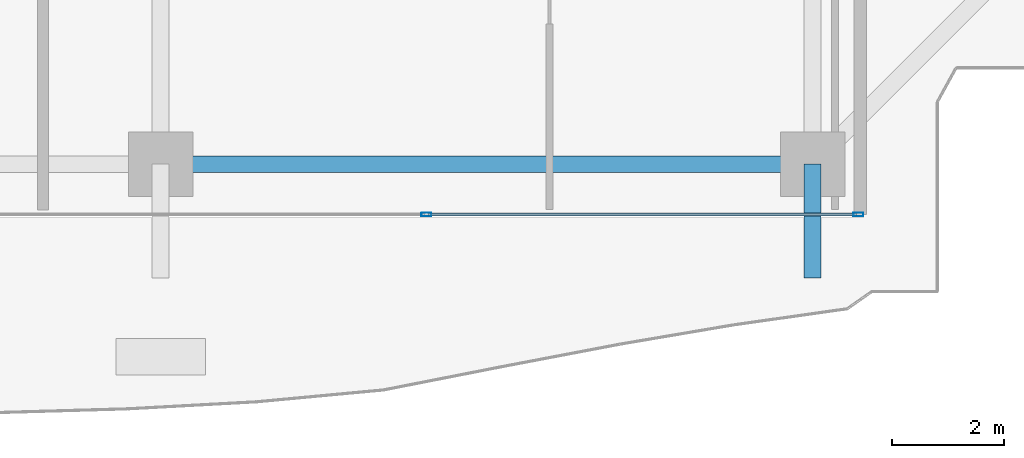
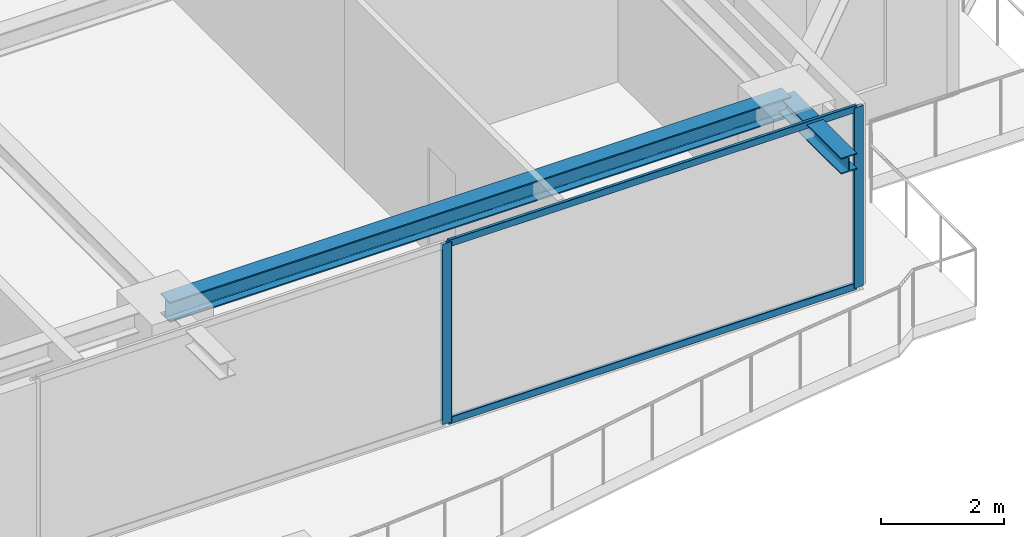
# One storey, part 11 of 37: 4 members, 2 beams, 1 element without a shape of its own.
"""IFC4 building model written with IfcOpenShell, lengths in metres."""

from ifc_helpers import new_model, si_unit, direction, frame, origin, origin_2d, place, context, subcontext, project, spatial, hollow_rectangle, i_section, extrude, source, transform, mapped, material, layer, layer_set, material_profile, profile_set, type_object, element, aggregate, save


model = new_model("IFC4")

# Units and contexts
model_context = context("Model", 3, precision=1e-05, world=origin(), true_north=direction((0.0, 1.0)))
body_context = subcontext(model_context, "Body", "Model", "MODEL_VIEW")
ifc_project = project(units=[si_unit("LENGTHUNIT", "METRE"), si_unit("AREAUNIT", "SQUARE_METRE"), si_unit("VOLUMEUNIT", "CUBIC_METRE"), si_unit("PLANEANGLEUNIT", "RADIAN"), si_unit("MASSUNIT", "GRAM", prefix="KILO")], contexts=[model_context])

# Site, building, storey
site_placement = place(None, origin())
site = spatial("IfcSite", under=ifc_project, at=site_placement, CompositionType="ELEMENT")
building_placement = place(site_placement, origin())
building = spatial("IfcBuilding", under=site, at=building_placement, Name="Serunith Strait Residences", CompositionType="ELEMENT")
storey_placement = place(building_placement, frame((0.0, 0.0, 260.5)))
storey = spatial("IfcBuildingStorey", under=building, at=storey_placement, Name="L65", CompositionType="ELEMENT", Elevation=260.5)

# Beams
ifc_material_1 = material(Name="Steel S355J2", Category="steel")
ifc_material_profile_1 = material_profile(ifc_material_1, i_section(OverallWidth=0.300048828125, OverallDepth=0.39990234375, WebThickness=0.013427734375, FlangeThickness=0.02392578125, FilletRadius=0.027099609375, at=origin_2d()), Name="HEB 400")
ifc_profile_set_1 = profile_set([ifc_material_profile_1], Name="Steel S355J2")
beam_type_1 = type_object("IfcBeamType", Name="BM-HEB400", PredefinedType="BEAM", material=ifc_profile_set_1)
shared_shape_1 = source(origin(), body_context, "Body", "SweptSolid", [
    extrude(i_section(OverallWidth=0.300048828125, OverallDepth=0.39990234375, WebThickness=0.013427734375, FlangeThickness=0.02392578125, FilletRadius=0.027099609375, at=origin_2d()), origin(), (0.0, 0.0, 1.0), 11.650146484375),
])
beam_1_placement = place(storey_placement, frame((36.89990234375, 2.10009765625, 3.386962890625), z_axis=(1.0, 0.0, 0.0), x_axis=(0.0, 1.0, 0.0)))
element("IfcBeam", 1, at=beam_1_placement, inside=storey, type_object=beam_type_1, Name="L65 Perimeter Ring Beam 03", PredefinedType="BEAM", context=body_context, shape_type="MappedRepresentation", body=[
    mapped(shared_shape_1, transform((0.0, 0.0, 0.0), scale=1.0)),
])
ifc_material_profile_2 = material_profile(ifc_material_1, i_section(OverallWidth=0.300048828125, OverallDepth=0.320068359375, WebThickness=0.011474609375, FlangeThickness=0.0205078125, FilletRadius=0.027099609375, at=origin_2d()), Name="HEB 320")
ifc_profile_set_2 = profile_set([ifc_material_profile_2], Name="Steel S355J2")
beam_type_2 = type_object("IfcBeamType", Name="BM-HEB320", PredefinedType="BEAM", material=ifc_profile_set_2)
shared_shape_2 = source(origin(), body_context, "Body", "SweptSolid", [
    extrude(i_section(OverallWidth=0.300048828125, OverallDepth=0.320068359375, WebThickness=0.011474609375, FlangeThickness=0.0205078125, FilletRadius=0.027099609375, at=origin_2d()), origin(), (0.0, 0.0, 1.0), 2.030029296875),
])
beam_2_placement = place(storey_placement, frame((48.550048828125, 2.10009765625, 3.39697265625), z_axis=(0.0, -1.0, 0.0), x_axis=(1.0, 0.0, 0.0)))
element("IfcBeam", 2, at=beam_2_placement, inside=storey, type_object=beam_type_2, Name="L66 Cantilevered Balcony Rib TC-S4", PredefinedType="BEAM", context=body_context, shape_type="MappedRepresentation", body=[
    mapped(shared_shape_2, transform((0.0, 0.0, 0.0), scale=1.0)),
])

# Curtain wall, members
ifc_material_2 = material(Name="Pale-Champagne Anodised Aluminium", Category="aluminium")
ifc_layer = layer(ifc_material_2, 0.199951171875, Name="Pale-Champagne Anodised Aluminium")
ifc_layer_set = layer_set([ifc_layer], Name="Pale-Champagne Anodised Aluminium")
curtain_wall_type = type_object("IfcCurtainWallType", Name="CW-SYS4", PredefinedType="NOTDEFINED", material=ifc_layer_set)
curtain_wall_placement = place(storey_placement, origin())
curtain_wall = element("IfcCurtainWall", 3, at=curtain_wall_placement, inside=storey, type_object=curtain_wall_type, Name="L65 S Unitised Fritted Curtain Wall", PredefinedType="NOTDEFINED")
ifc_material_profile_3 = material_profile(ifc_material_2, hollow_rectangle(XDim=0.06494140625, YDim=0.179931640625, WallThickness=0.00341796875, InnerFilletRadius=0.00537109375, OuterFilletRadius=0.0087890625, at=origin_2d()), Name="ALU 180x65x3.5")
ifc_profile_set_3 = profile_set([ifc_material_profile_3], Name="Pale-Champagne Anodised Aluminium")
member_type_1 = type_object("IfcMemberType", Name="CW-SYS4-MULL", PredefinedType="MULLION", material=ifc_profile_set_3)
shared_shape_3 = source(origin(), body_context, "Body", "SweptSolid", [
    extrude(hollow_rectangle(XDim=0.06494140625, YDim=0.179931640625, WallThickness=0.00341796875, InnerFilletRadius=0.00537109375, OuterFilletRadius=0.0087890625, at=origin_2d()), origin(), (0.0, 0.0, 1.0), 3.574951171875),
])
member_1_placement = place(storey_placement, frame((41.64990234375, 1.199951171875, 0.0), z_axis=(0.0, 0.0, 1.0), x_axis=(0.0, 1.0, 0.0)))
member_1 = element("IfcMember", 4, at=member_1_placement, type_object=member_type_1, Name="CW-4 mullion 2", PredefinedType="MULLION", context=body_context, shape_type="MappedRepresentation", body=[
    mapped(shared_shape_3, transform((0.0, 0.0, 0.0), scale=1.0)),
])
member_2_placement = place(storey_placement, frame((49.367431640625, 1.199951171875, 0.0), z_axis=(0.0, 0.0, 1.0), x_axis=(0.0, 1.0, 0.0)))
member_2 = element("IfcMember", 5, at=member_2_placement, type_object=member_type_1, Name="CW-4 mullion 3", PredefinedType="MULLION", context=body_context, shape_type="MappedRepresentation", body=[
    mapped(shared_shape_3, transform((0.0, 0.0, 0.0), scale=1.0)),
])
ifc_material_profile_4 = material_profile(ifc_material_2, hollow_rectangle(XDim=0.06005859375, YDim=0.139892578125, WallThickness=0.00341796875, InnerFilletRadius=0.00537109375, OuterFilletRadius=0.0087890625, at=origin_2d()), Name="ALU 140x60x3.5")
ifc_profile_set_4 = profile_set([ifc_material_profile_4], Name="Pale-Champagne Anodised Aluminium")
member_type_2 = type_object("IfcMemberType", Name="CW-SYS4-TRAN", PredefinedType="USERDEFINED", material=ifc_profile_set_4)
shared_shape_4 = source(origin(), body_context, "Body", "SweptSolid", [
    extrude(hollow_rectangle(XDim=0.06005859375, YDim=0.139892578125, WallThickness=0.00341796875, InnerFilletRadius=0.00537109375, OuterFilletRadius=0.0087890625, at=origin_2d()), origin(), (0.0, 0.0, 1.0), 7.65234375),
])
member_3_placement = place(storey_placement, frame((41.6826171875, 1.199951171875, 0.030029296875), z_axis=(1.0, 0.0, 0.0), x_axis=(0.0, 1.0, 0.0)))
member_3 = element("IfcMember", 6, at=member_3_placement, type_object=member_type_2, Name="CW-4 transom 2.1", ObjectType="TRANSOM", PredefinedType="USERDEFINED", context=body_context, shape_type="MappedRepresentation", body=[
    mapped(shared_shape_4, transform((0.0, 0.0, 0.0), scale=1.0)),
])
member_4_placement = place(storey_placement, frame((41.6826171875, 1.199951171875, 3.544921875), z_axis=(1.0, 0.0, 0.0), x_axis=(0.0, 1.0, 0.0)))
member_4 = element("IfcMember", 7, at=member_4_placement, type_object=member_type_2, Name="CW-4 transom 2.2", ObjectType="TRANSOM", PredefinedType="USERDEFINED", context=body_context, shape_type="MappedRepresentation", body=[
    mapped(shared_shape_4, transform((0.0, 0.0, 0.0), scale=1.0)),
])
aggregate(curtain_wall, [member_1, member_2, member_3, member_4])

save(model, "model.ifc")
